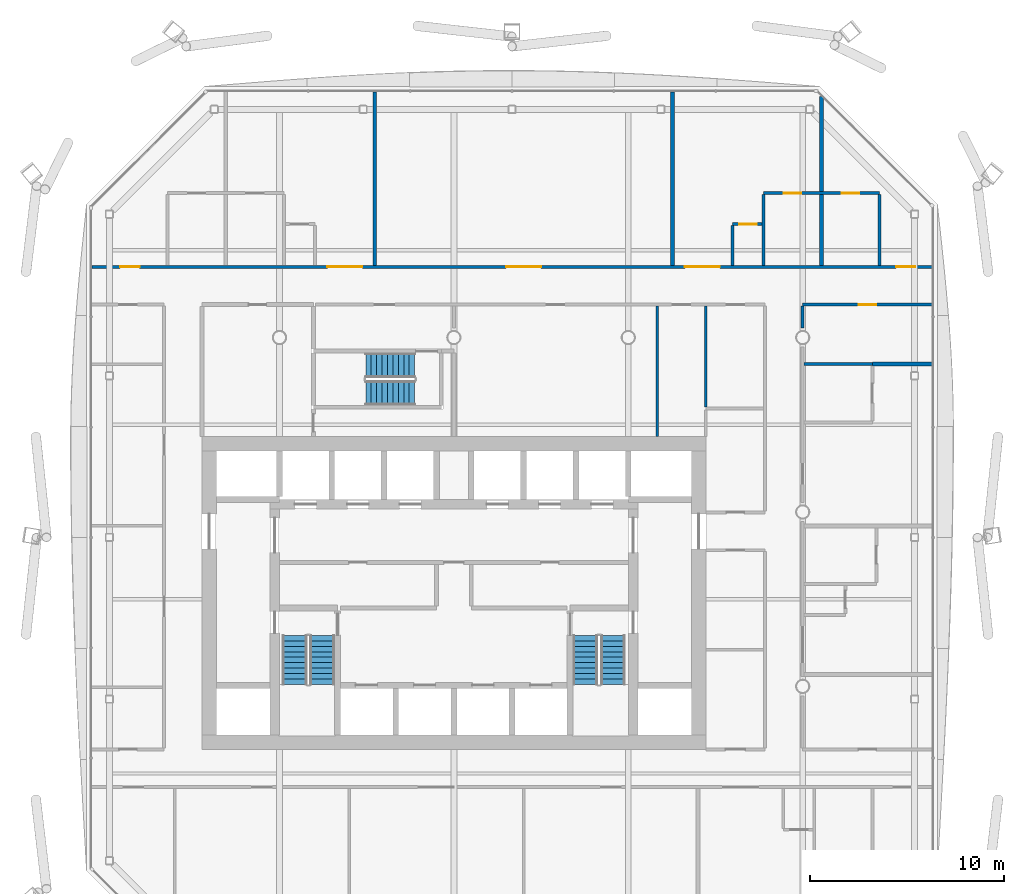
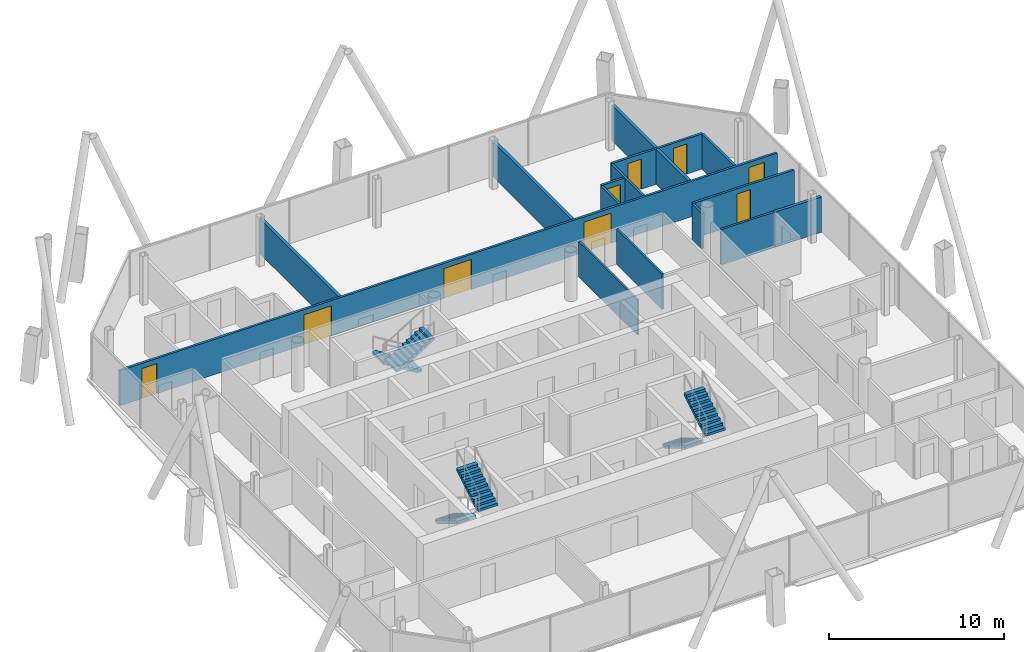
# One storey, part 17 of 20: 15 walls, 9 doors, 6 stair flights, 9 openings, 3 elements without a shape of their own.
"""IFC4 building model written with IfcOpenShell, lengths in metres."""

import ifcopenshell
import ifcopenshell.guid

model = None  # the IFC model being written
_history = None  # IfcOwnerHistory: only IFC2X3 demands one
_inside = {}  # id of a spatial element -> (the spatial element, [elements in it])
_under = {}  # id of a project, library or spatial element -> (it, [spatial elements below it])
_declared = {}  # id of a project -> (the project, [libraries it declares])
_typed = {}  # id of a type object -> (the type object, [elements of that type])
_made_of = {}  # id of a material, layer set ... -> (it, [elements and type objects made of it])


def new_model(schema):
    """Start an empty IFC model of exactly this schema.

    Asked for "IFC4X3", IfcOpenShell would pick the latest addendum, in which some entities
    have other attributes; the version numbers below select the first issue.
    IFC2X3 requires an IfcOwnerHistory on every rooted entity: one is made here for all.
    """
    global model, _history
    if schema == "IFC4X3":
        model = ifcopenshell.file(schema_version=(4, 3, 0, 0))
    else:
        model = ifcopenshell.file(schema=schema)
    _inside.clear()
    _under.clear()
    _declared.clear()
    _typed.clear()
    _made_of.clear()
    _history = None
    if model.schema == "IFC2X3":
        org = make("IfcOrganization", Name="unknown")
        user = make(
            "IfcPersonAndOrganization",
            ThePerson=make("IfcPerson", FamilyName="unknown"),
            TheOrganization=org,
        )
        app = make(
            "IfcApplication",
            ApplicationDeveloper=org,
            Version="unknown",
            ApplicationFullName="unknown",
            ApplicationIdentifier="unknown",
        )
        _history = make(
            "IfcOwnerHistory",
            OwningUser=user,
            OwningApplication=app,
            ChangeAction="ADDED",
            CreationDate=0,
        )
    return model


def make(cls, **values):
    """One entity of the class cls with the attributes given. An attribute that is None is left unset."""
    return model.create_entity(
        cls, **{name: value for name, value in values.items() if value is not None}
    )


def rooted(cls, **values):
    """An entity with a GlobalId (a new one), such as an element, a storey or a relation."""
    return make(cls, GlobalId=ifcopenshell.guid.new(), OwnerHistory=_history, **values)


def si_unit(unit_type, name, prefix=None):
    """IfcSIUnit, for example si_unit("LENGTHUNIT", "METRE", prefix="MILLI")."""
    return make("IfcSIUnit", UnitType=unit_type, Prefix=prefix, Name=name)


def assignment(units):
    """IfcUnitAssignment: the units of a project."""
    return None if units is None else make("IfcUnitAssignment", Units=units)


def point(xyz):
    """IfcCartesianPoint."""
    return None if xyz is None else make("IfcCartesianPoint", Coordinates=xyz)


def direction(xyz):
    """IfcDirection."""
    return None if xyz is None else make("IfcDirection", DirectionRatios=xyz)


def frame(location, z_axis=None, x_axis=None):
    """IfcAxis2Placement3D, a coordinate frame: its origin and axes. An axis left out is left unset."""
    return make(
        "IfcAxis2Placement3D",
        Location=point(location),
        Axis=direction(z_axis),
        RefDirection=direction(x_axis),
    )


def frame_2d(location, x_axis=None):
    """IfcAxis2Placement2D, a coordinate frame in the plane: its origin and x axis."""
    return make(
        "IfcAxis2Placement2D", Location=point(location), RefDirection=direction(x_axis)
    )


def origin():
    """The frame at (0, 0, 0) with its axes left unset."""
    return frame((0.0, 0.0, 0.0))


def place(relative_to, where):
    """IfcLocalPlacement: puts the frame where relative to a parent placement (None: the world)."""
    return make(
        "IfcLocalPlacement", PlacementRelTo=relative_to, RelativePlacement=where
    )


def context(
    kind, dimensions, precision=None, world=None, true_north=None, identifier=None
):
    """IfcGeometricRepresentationContext, for example the 3D "Model" context."""
    return make(
        "IfcGeometricRepresentationContext",
        ContextIdentifier=identifier,
        ContextType=kind,
        CoordinateSpaceDimension=dimensions,
        Precision=precision,
        WorldCoordinateSystem=world,
        TrueNorth=true_north,
    )


def subcontext(parent, identifier, kind, view, scale=None):
    """IfcGeometricRepresentationSubContext, for example "Body" below "Model"."""
    return make(
        "IfcGeometricRepresentationSubContext",
        ContextIdentifier=identifier,
        ContextType=kind,
        ParentContext=parent,
        TargetScale=scale,
        TargetView=view,
    )


def project(units=None, contexts=None):
    """IfcProject with its units and contexts."""
    return rooted(
        "IfcProject",
        Name="project",
        RepresentationContexts=contexts,
        UnitsInContext=assignment(units),
    )


def spatial(cls, under=None, at=None, **own):
    """A site, building, storey or space (cls), placed at a placement, below another one or the project."""
    s = rooted(cls, ObjectPlacement=at, **own)
    if under is not None:
        _under.setdefault(under.id(), (under, []))[1].append(s)
    return s


def polyline(points):
    """IfcPolyline through the points."""
    return make("IfcPolyline", Points=[point(p) for p in points])


def profile(cls, at=None, kind="AREA", **sizes):
    """A parametric profile (cls). Its sizes go by their IFC names, for example OverallWidth=200.0."""
    return make(cls, ProfileType=kind, Position=at, **sizes)


def rectangle(**sizes):
    """IfcRectangleProfileDef."""
    return profile("IfcRectangleProfileDef", **sizes)


def outline(outer, holes=None, kind="AREA"):
    """IfcArbitraryClosedProfileDef: a profile drawn as a closed curve; with holes, ...WithVoids."""
    if holes is None:
        return make("IfcArbitraryClosedProfileDef", ProfileType=kind, OuterCurve=outer)
    return make(
        "IfcArbitraryProfileDefWithVoids",
        ProfileType=kind,
        OuterCurve=outer,
        InnerCurves=holes,
    )


def extrude(swept, where, along, depth):
    """IfcExtrudedAreaSolid: the profile swept, set in the frame where, extruded along a direction by depth."""
    return make(
        "IfcExtrudedAreaSolid",
        SweptArea=swept,
        Position=where,
        ExtrudedDirection=direction(along),
        Depth=depth,
    )


def shape(context_of_items, identifier, shape_type, items):
    """IfcShapeRepresentation: the items that make up one representation, for example the "Body"."""
    return make(
        "IfcShapeRepresentation",
        ContextOfItems=context_of_items,
        RepresentationIdentifier=identifier,
        RepresentationType=shape_type,
        Items=items,
    )


def material(Name=None, Category=None):
    """IfcMaterial."""
    return make("IfcMaterial", Name=Name, Category=Category)


def layer(
    of_material, thickness, ventilated=None, Name=None, Category=None, Priority=None
):
    """IfcMaterialLayer: one layer of a wall or slab, of a material (None: an air gap)."""
    return make(
        "IfcMaterialLayer",
        Material=of_material,
        LayerThickness=thickness,
        IsVentilated=ventilated,
        Name=Name,
        Category=Category,
        Priority=Priority,
    )


def layer_set(layers, Name=None):
    """IfcMaterialLayerSet."""
    return make("IfcMaterialLayerSet", MaterialLayers=layers, LayerSetName=Name)


def made_of(thing, what):
    """Note that an element or type object is made of a material, layer set ...; save() writes the relation."""
    if what is not None:
        _made_of.setdefault(what.id(), (what, []))[1].append(thing)
    return thing


def type_object(cls, material=None, **own):
    """A type object (cls), such as IfcWallType, which elements share."""
    return made_of(rooted(cls, **own), material)


def element(
    cls,
    number,
    at=None,
    inside=None,
    cuts=None,
    type_object=None,
    material=None,
    context=None,
    identifier="Body",
    shape_type=None,
    held_by="IfcProductDefinitionShape",
    body=None,
    shapes=None,
    **own,
):
    """One element of the class cls, such as IfcWall. Its Tag is "e" and its number.

    at: its placement. inside: the storey or other place that contains it. cuts: it is an
    opening in that element (IfcRelVoidsElement). A single representation is given by context,
    identifier, shape_type and body (its items); several are given by shapes. held_by: the class
    of the entity that holds the representations. save() writes the other relations.
    """
    e = rooted(cls, Tag="e%d" % number, ObjectPlacement=at, **own)
    if body is not None:
        shapes = [shape(context, identifier, shape_type, body)]
    if shapes is not None:
        e.Representation = make(held_by, Representations=shapes)
    if inside is not None:
        _inside.setdefault(inside.id(), (inside, []))[1].append(e)
    if cuts is not None:
        rooted(
            "IfcRelVoidsElement", RelatingBuildingElement=cuts, RelatedOpeningElement=e
        )
    if type_object is not None:
        _typed.setdefault(type_object.id(), (type_object, []))[1].append(e)
    return made_of(e, material)


def fill(opening, filler):
    """IfcRelFillsElement: the door or window that sits in an opening."""
    return rooted(
        "IfcRelFillsElement",
        RelatingOpeningElement=opening,
        RelatedBuildingElement=filler,
    )


def aggregate(whole, parts):
    """IfcRelAggregates: a whole, such as a stair, and the parts it consists of."""
    return rooted("IfcRelAggregates", RelatingObject=whole, RelatedObjects=parts)


def save(model, path):
    """Write the relations noted so far, then the file.

    IfcRelAggregates (storeys below a building ...), IfcRelContainedInSpatialStructure (elements
    in a storey), IfcRelDefinesByType, IfcRelAssociatesMaterial and IfcRelDeclares: one each for
    every whole, place, type object, material and project.
    """
    for whole, parts in _under.values():
        aggregate(whole, parts)
    for where, things in _inside.values():
        rooted(
            "IfcRelContainedInSpatialStructure",
            RelatedElements=things,
            RelatingStructure=where,
        )
    for kind, things in _typed.values():
        rooted("IfcRelDefinesByType", RelatedObjects=things, RelatingType=kind)
    for what, things in _made_of.values():
        rooted("IfcRelAssociatesMaterial", RelatedObjects=things, RelatingMaterial=what)
    for by, libraries in _declared.values():
        rooted("IfcRelDeclares", RelatingContext=by, RelatedDefinitions=libraries)
    model.write(path)


model = new_model("IFC4")

# Units and contexts
model_context = context("Model", 3, precision=1e-05, world=origin(), true_north=direction((0.0, 1.0)))
body_context = subcontext(model_context, "Body", "Model", "MODEL_VIEW")
ifc_project = project(units=[si_unit("LENGTHUNIT", "METRE"), si_unit("AREAUNIT", "SQUARE_METRE"), si_unit("VOLUMEUNIT", "CUBIC_METRE"), si_unit("PLANEANGLEUNIT", "RADIAN"), si_unit("MASSUNIT", "GRAM", prefix="KILO")], contexts=[model_context])

# Site, building, storey
site_placement = place(None, origin())
site = spatial("IfcSite", under=ifc_project, at=site_placement, CompositionType="ELEMENT")
building_placement = place(site_placement, origin())
building = spatial("IfcBuilding", under=site, at=building_placement, Name="Tskaro Facet Tower", CompositionType="ELEMENT")
storey_placement = place(building_placement, frame((0.0, 0.0, 152.10009765625)))
storey = spatial("IfcBuildingStorey", under=building, at=storey_placement, Name="L37", CompositionType="ELEMENT", Elevation=152.10009765625)

# Walls
ifc_material_1 = material(Name="Gypsum board on steel studs", Category="steel")
ifc_layer_1 = layer(ifc_material_1, 0.125, Name="Gypsum board on steel studs")
ifc_layer_set_1 = layer_set([ifc_layer_1], Name="Gypsum board on steel studs")
wall_type_1 = type_object("IfcWallType", Name="PART", PredefinedType="PARTITIONING", material=ifc_layer_set_1)
wall_1_placement = place(storey_placement, frame((10.5, 3.89990234375, 0.0), z_axis=(0.0, 0.0, 1.0), x_axis=(0.0, 1.0, 0.0)))
element("IfcWall", 1, at=wall_1_placement, inside=storey, type_object=wall_type_1, Name="Partition W074", PredefinedType="PARTITIONING", context=body_context, shape_type="SweptSolid", body=[
    extrude(rectangle(XDim=6.72509765625, YDim=0.125, at=frame_2d((3.362548828125, 0.0))), origin(), (0.0, 0.0, 1.0), 2.4599609375),
])
wall_2_placement = place(storey_placement, frame((13.0, 5.412109375, 0.0), z_axis=(0.0, 0.0, 1.0), x_axis=(0.0, 1.0, 0.0)))
element("IfcWall", 2, at=wall_2_placement, inside=storey, type_object=wall_type_1, Name="Partition W078", PredefinedType="PARTITIONING", context=body_context, shape_type="SweptSolid", body=[
    extrude(rectangle(XDim=5.212890625, YDim=0.125, at=frame_2d((2.6064453125, 0.0))), origin(), (0.0, 0.0, 1.0), 2.4599609375),
])
ifc_layer_2 = layer(ifc_material_1, 0.14990234375, Name="Gypsum board on steel studs")
ifc_layer_set_2 = layer_set([ifc_layer_2], Name="Gypsum board on steel studs")
wall_type_2 = type_object("IfcWallType", Name="PART-CORR", PredefinedType="PARTITIONING", material=ifc_layer_set_2)
wall_3_placement = place(storey_placement, frame((18.074951171875, 7.6259765625, 0.0), z_axis=(0.0, 0.0, 1.0), x_axis=(1.0, 0.0, 0.0)))
element("IfcWall", 3, at=wall_3_placement, inside=storey, type_object=wall_type_2, Name="Corridor wall W030", PredefinedType="PARTITIONING", context=body_context, shape_type="SweptSolid", body=[
    extrude(rectangle(XDim=3.525146484375, YDim=0.14990234375, at=frame_2d((1.7626953125, 0.0))), origin(), (0.0, 0.0, 1.0), 2.4599609375),
])

# Wall, opening, door
wall_4_placement = place(storey_placement, frame((24.674072265625, 10.699951171875, 0.0), z_axis=(0.0, 0.0, 1.0), x_axis=(-1.0, 0.0, 0.0)))
wall_4 = element("IfcWall", 4, at=wall_4_placement, inside=storey, type_object=wall_type_2, Name="Corridor wall W037", PredefinedType="PARTITIONING", context=body_context, shape_type="SweptSolid", body=[
    extrude(rectangle(XDim=6.674072265625, YDim=0.14990234375, at=frame_2d((3.3369140625, 0.0))), origin(), (0.0, 0.0, 1.0), 2.4599609375),
])
opening_1_placement = place(wall_4_placement, frame((2.886962890625, 0.0, 0.0)))
opening_1 = element("IfcOpeningElement", 5, at=opening_1_placement, cuts=wall_4, Name="Opening T11-D38", PredefinedType="OPENING", context=body_context, shape_type="SweptSolid", body=[
    extrude(rectangle(XDim=0.89990234375, YDim=2.10009765625, at=frame_2d((0.449951171875, 1.050048828125))), frame((0.0, 0.0849609375, 0.0), z_axis=(0.0, -1.0, 0.0), x_axis=(1.0, 0.0, 0.0)), (0.0, 0.0, 1.0), 0.169921875),
])
ifc_material_2 = material(Name="Timber", Category="wood")
door_type_1 = type_object("IfcDoorType", Name="D-ROOM", OperationType="NOTDEFINED", PredefinedType="DOOR", material=ifc_material_2)
door_1_placement = place(opening_1_placement, origin())
door_1 = element("IfcDoor", 6, at=door_1_placement, inside=storey, type_object=door_type_1, Name="Door T11-D38", OperationType="SINGLE_SWING_RIGHT", OverallHeight=2.10009765625, OverallWidth=0.89990234375, PredefinedType="DOOR", context=body_context, shape_type="SweptSolid", body=[
    extrude(rectangle(XDim=0.89990234375, YDim=2.10009765625, at=frame_2d((0.449951171875, 1.050048828125))), frame((0.0, 0.02490234375, 0.0), z_axis=(0.0, -1.0, 0.0), x_axis=(1.0, 0.0, 0.0)), (0.0, 0.0, 1.0), 0.050048828125),
])
fill(opening_1, door_1)

# Wall, openings, doors
wall_5_placement = place(storey_placement, frame((-18.674072265625, 12.64990234375, 0.0), z_axis=(0.0, 0.0, 1.0), x_axis=(1.0, 0.0, 0.0)))
wall_5 = element("IfcWall", 7, at=wall_5_placement, inside=storey, type_object=wall_type_2, Name="Corridor wall W038", PredefinedType="PARTITIONING", context=body_context, shape_type="SweptSolid", body=[
    extrude(rectangle(XDim=43.34814453125, YDim=0.14990234375, at=frame_2d((21.674072265625, 0.0))), origin(), (0.0, 0.0, 1.0), 2.4599609375),
])
opening_2_placement = place(wall_5_placement, frame((1.452880859375, 0.0, 0.0)))
opening_2 = element("IfcOpeningElement", 8, at=opening_2_placement, cuts=wall_5, Name="Opening T11-D39", PredefinedType="OPENING", context=body_context, shape_type="SweptSolid", body=[
    extrude(rectangle(XDim=1.0, YDim=2.10009765625, at=frame_2d((0.5, 1.050048828125))), frame((0.0, 0.0849609375, 0.0), z_axis=(0.0, -1.0, 0.0), x_axis=(1.0, 0.0, 0.0)), (0.0, 0.0, 1.0), 0.169921875),
])
opening_3_placement = place(wall_5_placement, frame((12.14794921875, 0.0, 0.0)))
opening_3 = element("IfcOpeningElement", 9, at=opening_3_placement, cuts=wall_5, Name="Opening T11-D40", PredefinedType="OPENING", context=body_context, shape_type="SweptSolid", body=[
    extrude(rectangle(XDim=1.800048828125, YDim=2.10009765625, at=frame_2d((0.89990234375, 1.050048828125))), frame((0.0, 0.0849609375, 0.0), z_axis=(0.0, -1.0, 0.0), x_axis=(1.0, 0.0, 0.0)), (0.0, 0.0, 1.0), 0.169921875),
])
opening_4_placement = place(wall_5_placement, frame((21.3740234375, 0.0, 0.0)))
opening_4 = element("IfcOpeningElement", 10, at=opening_4_placement, cuts=wall_5, Name="Opening T11-D41", PredefinedType="OPENING", context=body_context, shape_type="SweptSolid", body=[
    extrude(rectangle(XDim=1.800048828125, YDim=2.10009765625, at=frame_2d((0.89990234375, 1.050048828125))), frame((0.0, 0.0849609375, 0.0), z_axis=(0.0, -1.0, 0.0), x_axis=(1.0, 0.0, 0.0)), (0.0, 0.0, 1.0), 0.169921875),
])
opening_5_placement = place(wall_5_placement, frame((30.60009765625, 0.0, 0.0)))
opening_5 = element("IfcOpeningElement", 11, at=opening_5_placement, cuts=wall_5, Name="Opening T11-D42", PredefinedType="OPENING", context=body_context, shape_type="SweptSolid", body=[
    extrude(rectangle(XDim=1.800048828125, YDim=2.10009765625, at=frame_2d((0.89990234375, 1.050048828125))), frame((0.0, 0.0849609375, 0.0), z_axis=(0.0, -1.0, 0.0), x_axis=(1.0, 0.0, 0.0)), (0.0, 0.0, 1.0), 0.169921875),
])
opening_6_placement = place(wall_5_placement, frame((41.4951171875, 0.0, 0.0)))
opening_6 = element("IfcOpeningElement", 12, at=opening_6_placement, cuts=wall_5, Name="Opening T11-D43", PredefinedType="OPENING", context=body_context, shape_type="SweptSolid", body=[
    extrude(rectangle(XDim=1.0, YDim=2.10009765625, at=frame_2d((0.5, 1.050048828125))), frame((0.0, 0.0849609375, 0.0), z_axis=(0.0, -1.0, 0.0), x_axis=(1.0, 0.0, 0.0)), (0.0, 0.0, 1.0), 0.169921875),
])
door_type_2 = type_object("IfcDoorType", Name="D-ENTRY", OperationType="NOTDEFINED", PredefinedType="DOOR", material=ifc_material_2)
door_2_placement = place(opening_2_placement, origin())
door_2 = element("IfcDoor", 13, at=door_2_placement, inside=storey, type_object=door_type_2, Name="Door T11-D39", OperationType="SINGLE_SWING_RIGHT", OverallHeight=2.10009765625, OverallWidth=1.0, PredefinedType="DOOR", context=body_context, shape_type="SweptSolid", body=[
    extrude(rectangle(XDim=1.0, YDim=2.10009765625, at=frame_2d((0.5, 1.050048828125))), frame((0.0, 0.02490234375, 0.0), z_axis=(0.0, -1.0, 0.0), x_axis=(1.0, 0.0, 0.0)), (0.0, 0.0, 1.0), 0.050048828125),
])
fill(opening_2, door_2)
door_3_placement = place(opening_6_placement, origin())
door_3 = element("IfcDoor", 14, at=door_3_placement, inside=storey, type_object=door_type_2, Name="Door T11-D43", OperationType="SINGLE_SWING_RIGHT", OverallHeight=2.10009765625, OverallWidth=1.0, PredefinedType="DOOR", context=body_context, shape_type="SweptSolid", body=[
    extrude(rectangle(XDim=1.0, YDim=2.10009765625, at=frame_2d((0.5, 1.050048828125))), frame((0.0, 0.02490234375, 0.0), z_axis=(0.0, -1.0, 0.0), x_axis=(1.0, 0.0, 0.0)), (0.0, 0.0, 1.0), 0.050048828125),
])
fill(opening_6, door_3)
ifc_material_3 = material(Name="Glass", Category="glass")
door_type_3 = type_object("IfcDoorType", Name="D-ENTRY-PAIR", OperationType="NOTDEFINED", PredefinedType="DOOR", material=ifc_material_3)
door_4_placement = place(opening_4_placement, origin())
door_4 = element("IfcDoor", 15, at=door_4_placement, inside=storey, type_object=door_type_3, Name="Door T11-D41", OperationType="DOUBLE_DOOR_SINGLE_SWING", OverallHeight=2.10009765625, OverallWidth=1.800048828125, PredefinedType="DOOR", context=body_context, shape_type="SweptSolid", body=[
    extrude(rectangle(XDim=1.800048828125, YDim=2.10009765625, at=frame_2d((0.89990234375, 1.050048828125))), frame((0.0, 0.02490234375, 0.0), z_axis=(0.0, -1.0, 0.0), x_axis=(1.0, 0.0, 0.0)), (0.0, 0.0, 1.0), 0.050048828125),
])
fill(opening_4, door_4)
door_type_4 = type_object("IfcDoorType", Name="D-SUITE-PAIR", OperationType="NOTDEFINED", PredefinedType="DOOR", material=ifc_material_2)
door_5_placement = place(opening_3_placement, origin())
door_5 = element("IfcDoor", 16, at=door_5_placement, inside=storey, type_object=door_type_4, Name="Door T11-D40", OperationType="DOUBLE_DOOR_SINGLE_SWING", OverallHeight=2.10009765625, OverallWidth=1.800048828125, PredefinedType="DOOR", context=body_context, shape_type="SweptSolid", body=[
    extrude(rectangle(XDim=1.800048828125, YDim=2.10009765625, at=frame_2d((0.89990234375, 1.050048828125))), frame((0.0, 0.02490234375, 0.0), z_axis=(0.0, -1.0, 0.0), x_axis=(1.0, 0.0, 0.0)), (0.0, 0.0, 1.0), 0.050048828125),
])
fill(opening_3, door_5)
door_6_placement = place(opening_5_placement, origin())
door_6 = element("IfcDoor", 17, at=door_6_placement, inside=storey, type_object=door_type_4, Name="Door T11-D42", OperationType="DOUBLE_DOOR_SINGLE_SWING", OverallHeight=2.10009765625, OverallWidth=1.800048828125, PredefinedType="DOOR", context=body_context, shape_type="SweptSolid", body=[
    extrude(rectangle(XDim=1.800048828125, YDim=2.10009765625, at=frame_2d((0.89990234375, 1.050048828125))), frame((0.0, 0.02490234375, 0.0), z_axis=(0.0, -1.0, 0.0), x_axis=(1.0, 0.0, 0.0)), (0.0, 0.0, 1.0), 0.050048828125),
])
fill(opening_5, door_6)

# Wall, opening, door
wall_6_placement = place(storey_placement, frame((15.89306640625, 14.85009765625, 0.0), z_axis=(0.0, 0.0, 1.0), x_axis=(-1.0, 0.0, 0.0)))
wall_6 = element("IfcWall", 18, at=wall_6_placement, inside=storey, type_object=wall_type_2, Name="Corridor wall W040", PredefinedType="PARTITIONING", context=body_context, shape_type="SweptSolid", body=[
    extrude(rectangle(XDim=1.525146484375, YDim=0.14990234375, at=frame_2d((0.7626953125, 0.0))), origin(), (0.0, 0.0, 1.0), 2.4599609375),
])
opening_7_placement = place(wall_6_placement, frame((0.27490234375, 0.0, 0.0)))
opening_7 = element("IfcOpeningElement", 19, at=opening_7_placement, cuts=wall_6, Name="Opening T11-D45", PredefinedType="OPENING", context=body_context, shape_type="SweptSolid", body=[
    extrude(rectangle(XDim=0.89990234375, YDim=2.10009765625, at=frame_2d((0.449951171875, 1.050048828125))), frame((0.0, 0.0849609375, 0.0), z_axis=(0.0, -1.0, 0.0), x_axis=(1.0, 0.0, 0.0)), (0.0, 0.0, 1.0), 0.169921875),
])
door_7_placement = place(opening_7_placement, origin())
door_7 = element("IfcDoor", 20, at=door_7_placement, inside=storey, type_object=door_type_1, Name="Door T11-D45", OperationType="SINGLE_SWING_RIGHT", OverallHeight=2.10009765625, OverallWidth=0.89990234375, PredefinedType="DOOR", context=body_context, shape_type="SweptSolid", body=[
    extrude(rectangle(XDim=0.89990234375, YDim=2.10009765625, at=frame_2d((0.449951171875, 1.050048828125))), frame((0.0, 0.02490234375, 0.0), z_axis=(0.0, -1.0, 0.0), x_axis=(1.0, 0.0, 0.0)), (0.0, 0.0, 1.0), 0.050048828125),
])
fill(opening_7, door_7)

# Wall, openings, doors
wall_7_placement = place(storey_placement, frame((21.968017578125, 16.449951171875, 0.0), z_axis=(0.0, 0.0, 1.0), x_axis=(-1.0, 0.0, 0.0)))
wall_7 = element("IfcWall", 21, at=wall_7_placement, inside=storey, type_object=wall_type_2, Name="Corridor wall W042", PredefinedType="PARTITIONING", context=body_context, shape_type="SweptSolid", body=[
    extrude(rectangle(XDim=6.0, YDim=0.14990234375, at=frame_2d((3.0, 0.0))), origin(), (0.0, 0.0, 1.0), 2.4599609375),
])
opening_8_placement = place(wall_7_placement, frame((4.050048828125, 0.0, 0.0)))
opening_8 = element("IfcOpeningElement", 22, at=opening_8_placement, cuts=wall_7, Name="Opening T11-D48", PredefinedType="OPENING", context=body_context, shape_type="SweptSolid", body=[
    extrude(rectangle(XDim=0.89990234375, YDim=2.10009765625, at=frame_2d((0.449951171875, 1.050048828125))), frame((0.0, 0.0849609375, 0.0), z_axis=(0.0, -1.0, 0.0), x_axis=(1.0, 0.0, 0.0)), (0.0, 0.0, 1.0), 0.169921875),
])
opening_9_placement = place(wall_7_placement, frame((1.050048828125, 0.0, 0.0)))
opening_9 = element("IfcOpeningElement", 23, at=opening_9_placement, cuts=wall_7, Name="Opening T11-D49", PredefinedType="OPENING", context=body_context, shape_type="SweptSolid", body=[
    extrude(rectangle(XDim=0.89990234375, YDim=2.10009765625, at=frame_2d((0.449951171875, 1.050048828125))), frame((0.0, 0.0849609375, 0.0), z_axis=(0.0, -1.0, 0.0), x_axis=(1.0, 0.0, 0.0)), (0.0, 0.0, 1.0), 0.169921875),
])
door_8_placement = place(opening_8_placement, origin())
door_8 = element("IfcDoor", 24, at=door_8_placement, inside=storey, type_object=door_type_1, Name="Door T11-D48", OperationType="SINGLE_SWING_RIGHT", OverallHeight=2.10009765625, OverallWidth=0.89990234375, PredefinedType="DOOR", context=body_context, shape_type="SweptSolid", body=[
    extrude(rectangle(XDim=0.89990234375, YDim=2.10009765625, at=frame_2d((0.449951171875, 1.050048828125))), frame((0.0, 0.02490234375, 0.0), z_axis=(0.0, -1.0, 0.0), x_axis=(1.0, 0.0, 0.0)), (0.0, 0.0, 1.0), 0.050048828125),
])
fill(opening_8, door_8)
door_9_placement = place(opening_9_placement, origin())
door_9 = element("IfcDoor", 25, at=door_9_placement, inside=storey, type_object=door_type_1, Name="Door T11-D49", OperationType="SINGLE_SWING_RIGHT", OverallHeight=2.10009765625, OverallWidth=0.89990234375, PredefinedType="DOOR", context=body_context, shape_type="SweptSolid", body=[
    extrude(rectangle(XDim=0.89990234375, YDim=2.10009765625, at=frame_2d((0.449951171875, 1.050048828125))), frame((0.0, 0.02490234375, 0.0), z_axis=(0.0, -1.0, 0.0), x_axis=(1.0, 0.0, 0.0)), (0.0, 0.0, 1.0), 0.050048828125),
])
fill(opening_9, door_9)

# Walls
wall_8_placement = place(storey_placement, frame((14.367919921875, 12.72509765625, 0.0), z_axis=(0.0, 0.0, 1.0), x_axis=(0.0, 1.0, 0.0)))
element("IfcWall", 26, at=wall_8_placement, inside=storey, type_object=wall_type_2, Name="Corridor wall W079", PredefinedType="PARTITIONING", context=body_context, shape_type="SweptSolid", body=[
    extrude(rectangle(XDim=2.0498046875, YDim=0.14990234375, at=frame_2d((1.02490234375, 0.0))), origin(), (0.0, 0.0, 1.0), 2.4599609375),
])
wall_9_placement = place(storey_placement, frame((15.968017578125, 12.72509765625, 0.0), z_axis=(0.0, 0.0, 1.0), x_axis=(0.0, 1.0, 0.0)))
element("IfcWall", 27, at=wall_9_placement, inside=storey, type_object=wall_type_2, Name="Corridor wall W080", PredefinedType="PARTITIONING", context=body_context, shape_type="SweptSolid", body=[
    extrude(rectangle(XDim=3.64990234375, YDim=0.14990234375, at=frame_2d((1.824951171875, 0.0))), origin(), (0.0, 0.0, 1.0), 2.4599609375),
])
wall_10_placement = place(storey_placement, frame((18.0, 9.5, 0.0), z_axis=(0.0, 0.0, 1.0), x_axis=(0.0, 1.0, 0.0)))
element("IfcWall", 28, at=wall_10_placement, inside=storey, type_object=wall_type_2, Name="Corridor wall W087", PredefinedType="PARTITIONING", context=body_context, shape_type="SweptSolid", body=[
    extrude(rectangle(XDim=1.125, YDim=0.14990234375, at=frame_2d((0.5625, 0.0))), origin(), (0.0, 0.0, 1.0), 2.4599609375),
])
wall_11_placement = place(storey_placement, frame((21.968017578125, 12.72509765625, 0.0), z_axis=(0.0, 0.0, 1.0), x_axis=(0.0, 1.0, 0.0)))
element("IfcWall", 29, at=wall_11_placement, inside=storey, type_object=wall_type_2, Name="Corridor wall W095", PredefinedType="PARTITIONING", context=body_context, shape_type="SweptSolid", body=[
    extrude(rectangle(XDim=3.64990234375, YDim=0.14990234375, at=frame_2d((1.824951171875, 0.0))), origin(), (0.0, 0.0, 1.0), 2.4599609375),
])
ifc_layer_3 = layer(ifc_material_1, 0.199951171875, Name="Gypsum board on steel studs")
ifc_layer_set_3 = layer_set([ifc_layer_3], Name="Gypsum board on steel studs")
wall_type_3 = type_object("IfcWallType", Name="PART-DEMISING", PredefinedType="PARTITIONING", material=ifc_layer_set_3)
wall_12_placement = place(storey_placement, frame((21.60009765625, 7.6259765625, 0.0), z_axis=(0.0, 0.0, 1.0), x_axis=(1.0, 0.0, 0.0)))
element("IfcWall", 30, at=wall_12_placement, inside=storey, type_object=wall_type_3, Name="Guest room wall W031", PredefinedType="PARTITIONING", context=body_context, shape_type="SweptSolid", body=[
    extrude(rectangle(XDim=3.073974609375, YDim=0.199951171875, at=frame_2d((1.537109375, 0.0))), origin(), (0.0, 0.0, 1.0), 2.4599609375),
])
for number, where, z_axis, x_axis, name in (
    (31, (-4.083984375, 12.72509765625, 0.0), (0.0, 0.0, 1.0), (0.0, 1.0, 0.0), "Guest room wall W057"),
    (32, (11.283935546875, 12.72509765625, 0.0), (0.0, 0.0, 1.0), (0.0, 1.0, 0.0), "Guest room wall W075"),
):
    element("IfcWall", number, at=place(storey_placement, frame(where, z_axis=z_axis, x_axis=x_axis)), inside=storey, type_object=wall_type_3, Name=name, PredefinedType="PARTITIONING", context=body_context, shape_type="SweptSolid", body=[
        extrude(rectangle(XDim=8.948974609375, YDim=0.199951171875, at=frame_2d((4.474609375, 0.0))), origin(), (0.0, 0.0, 1.0), 2.4599609375),
    ])
wall_13_placement = place(storey_placement, frame((18.968017578125, 12.72509765625, 0.0), z_axis=(0.0, 0.0, 1.0), x_axis=(0.0, 1.0, 0.0)))
element("IfcWall", 33, at=wall_13_placement, inside=storey, type_object=wall_type_3, Name="Guest room wall W089", PredefinedType="PARTITIONING", context=body_context, shape_type="SweptSolid", body=[
    extrude(rectangle(XDim=8.721923828125, YDim=0.199951171875, at=frame_2d((4.36083984375, 0.0))), origin(), (0.0, 0.0, 1.0), 2.4599609375),
])

# Stair, stair flights
ifc_material_4 = material(Name="Concrete C40/50", Category="concrete")
stair_type = type_object("IfcStairType", Name="ST-TWR", PredefinedType="HALF_TURN_STAIR", material=ifc_material_4)
stair_1_placement = place(storey_placement, origin())
stair_1 = element("IfcStair", 34, at=stair_1_placement, inside=storey, type_object=stair_type, Name="L37 Exit stair 1", PredefinedType="HALF_TURN_STAIR")
stair_flight_type = type_object("IfcStairFlightType", Name="SFL-RC", PredefinedType="STRAIGHT", material=ifc_material_4)
stair_flight_1_placement = place(storey_placement, frame((-8.21240234375, -6.375, 0.0), z_axis=(0.0, 0.0, 1.0), x_axis=(0.0, -1.0, 0.0)))
stair_flight_1 = element("IfcStairFlight", 35, at=stair_flight_1_placement, type_object=stair_flight_type, Name="ST-1 flight 1", NumberOfRisers=10, NumberOfTreads=9, PredefinedType="STRAIGHT", RiserHeight=0.17, TreadLength=0.28, context=body_context, shape_type="SweptSolid", body=[
    extrude(outline(polyline([(0.0, 0.0), (0.0, 0.169921875), (0.280029296875, 0.169921875), (0.280029296875, 0.340087890625), (0.56005859375, 0.340087890625), (0.56005859375, 0.510009765625), (0.840087890625, 0.510009765625), (0.840087890625, 0.679931640625), (1.1201171875, 0.679931640625), (1.1201171875, 0.85009765625), (1.39990234375, 0.85009765625), (1.39990234375, 1.02001953125), (1.679931640625, 1.02001953125), (1.679931640625, 1.18994140625), (1.9599609375, 1.18994140625), (1.9599609375, 1.360107421875), (2.239990234375, 1.360107421875), (2.239990234375, 1.530029296875), (2.52001953125, 1.530029296875), (2.52001953125, 1.699951171875), (2.52001953125, 1.354736328125), (0.288818359375, 0.0), (0.0, 0.0)])), frame((0.0, 0.637451171875, 0.0), z_axis=(0.0, -1.0, 0.0), x_axis=(1.0, 0.0, 0.0)), (0.0, 0.0, 1.0), 1.27490234375),
])
stair_flight_2_placement = place(storey_placement, frame((-6.78759765625, -8.89501953125, 1.699951171875), z_axis=(0.0, 0.0, 1.0), x_axis=(0.0, 1.0, 0.0)))
stair_flight_2 = element("IfcStairFlight", 36, at=stair_flight_2_placement, type_object=stair_flight_type, Name="ST-1 flight 2", NumberOfRisers=10, NumberOfTreads=9, PredefinedType="STRAIGHT", RiserHeight=0.17, TreadLength=0.28, context=body_context, shape_type="SweptSolid", body=[
    extrude(outline(polyline([(0.0, 0.0), (0.0, 0.169921875), (0.280029296875, 0.169921875), (0.280029296875, 0.340087890625), (0.56005859375, 0.340087890625), (0.56005859375, 0.510009765625), (0.840087890625, 0.510009765625), (0.840087890625, 0.679931640625), (1.1201171875, 0.679931640625), (1.1201171875, 0.85009765625), (1.39990234375, 0.85009765625), (1.39990234375, 1.02001953125), (1.679931640625, 1.02001953125), (1.679931640625, 1.18994140625), (1.9599609375, 1.18994140625), (1.9599609375, 1.360107421875), (2.239990234375, 1.360107421875), (2.239990234375, 1.530029296875), (2.52001953125, 1.530029296875), (2.52001953125, 1.699951171875), (2.52001953125, 1.354736328125), (0.288818359375, 0.0), (0.0, 0.0)])), frame((0.0, 0.637451171875, 0.0), z_axis=(0.0, -1.0, 0.0), x_axis=(1.0, 0.0, 0.0)), (0.0, 0.0, 1.0), 1.27490234375),
])
aggregate(stair_1, [stair_flight_1, stair_flight_2])

stair_2_placement = place(storey_placement, origin())
stair_2 = element("IfcStair", 37, at=stair_2_placement, inside=storey, type_object=stair_type, Name="L37 Exit stair 2", PredefinedType="HALF_TURN_STAIR")
stair_flight_3_placement = place(storey_placement, frame((6.78759765625, -6.375, 0.0), z_axis=(0.0, 0.0, 1.0), x_axis=(0.0, -1.0, 0.0)))
stair_flight_3 = element("IfcStairFlight", 38, at=stair_flight_3_placement, type_object=stair_flight_type, Name="ST-2 flight 1", NumberOfRisers=10, NumberOfTreads=9, PredefinedType="STRAIGHT", RiserHeight=0.17, TreadLength=0.28, context=body_context, shape_type="SweptSolid", body=[
    extrude(outline(polyline([(0.0, 0.0), (0.0, 0.169921875), (0.280029296875, 0.169921875), (0.280029296875, 0.340087890625), (0.56005859375, 0.340087890625), (0.56005859375, 0.510009765625), (0.840087890625, 0.510009765625), (0.840087890625, 0.679931640625), (1.1201171875, 0.679931640625), (1.1201171875, 0.85009765625), (1.39990234375, 0.85009765625), (1.39990234375, 1.02001953125), (1.679931640625, 1.02001953125), (1.679931640625, 1.18994140625), (1.9599609375, 1.18994140625), (1.9599609375, 1.360107421875), (2.239990234375, 1.360107421875), (2.239990234375, 1.530029296875), (2.52001953125, 1.530029296875), (2.52001953125, 1.699951171875), (2.52001953125, 1.354736328125), (0.288818359375, 0.0), (0.0, 0.0)])), frame((0.0, 0.637451171875, 0.0), z_axis=(0.0, -1.0, 0.0), x_axis=(1.0, 0.0, 0.0)), (0.0, 0.0, 1.0), 1.27490234375),
])
stair_flight_4_placement = place(storey_placement, frame((8.21240234375, -8.89501953125, 1.699951171875), z_axis=(0.0, 0.0, 1.0), x_axis=(0.0, 1.0, 0.0)))
stair_flight_4 = element("IfcStairFlight", 39, at=stair_flight_4_placement, type_object=stair_flight_type, Name="ST-2 flight 2", NumberOfRisers=10, NumberOfTreads=9, PredefinedType="STRAIGHT", RiserHeight=0.17, TreadLength=0.28, context=body_context, shape_type="SweptSolid", body=[
    extrude(outline(polyline([(0.0, 0.0), (0.0, 0.169921875), (0.280029296875, 0.169921875), (0.280029296875, 0.340087890625), (0.56005859375, 0.340087890625), (0.56005859375, 0.510009765625), (0.840087890625, 0.510009765625), (0.840087890625, 0.679931640625), (1.1201171875, 0.679931640625), (1.1201171875, 0.85009765625), (1.39990234375, 0.85009765625), (1.39990234375, 1.02001953125), (1.679931640625, 1.02001953125), (1.679931640625, 1.18994140625), (1.9599609375, 1.18994140625), (1.9599609375, 1.360107421875), (2.239990234375, 1.360107421875), (2.239990234375, 1.530029296875), (2.52001953125, 1.530029296875), (2.52001953125, 1.699951171875), (2.52001953125, 1.354736328125), (0.288818359375, 0.0), (0.0, 0.0)])), frame((0.0, 0.637451171875, 0.0), z_axis=(0.0, -1.0, 0.0), x_axis=(1.0, 0.0, 0.0)), (0.0, 0.0, 1.0), 1.27490234375),
])
aggregate(stair_2, [stair_flight_3, stair_flight_4])

stair_3_placement = place(storey_placement, origin())
stair_3 = element("IfcStair", 40, at=stair_3_placement, inside=storey, type_object=stair_type, Name="L37 Exit stair 3", PredefinedType="HALF_TURN_STAIR")
stair_flight_5_placement = place(storey_placement, frame((-2.02490234375, 7.5625, 0.0), z_axis=(0.0, 0.0, 1.0), x_axis=(-1.0, 0.0, 0.0)))
stair_flight_5 = element("IfcStairFlight", 41, at=stair_flight_5_placement, type_object=stair_flight_type, Name="ST-3 flight 1", NumberOfRisers=10, NumberOfTreads=9, PredefinedType="STRAIGHT", RiserHeight=0.17, TreadLength=0.28, context=body_context, shape_type="SweptSolid", body=[
    extrude(outline(polyline([(0.0, 0.0), (0.0, 0.169921875), (0.280029296875, 0.169921875), (0.280029296875, 0.340087890625), (0.56005859375, 0.340087890625), (0.56005859375, 0.510009765625), (0.840087890625, 0.510009765625), (0.840087890625, 0.679931640625), (1.1201171875, 0.679931640625), (1.1201171875, 0.85009765625), (1.39990234375, 0.85009765625), (1.39990234375, 1.02001953125), (1.679931640625, 1.02001953125), (1.679931640625, 1.18994140625), (1.9599609375, 1.18994140625), (1.9599609375, 1.360107421875), (2.239990234375, 1.360107421875), (2.239990234375, 1.530029296875), (2.52001953125, 1.530029296875), (2.52001953125, 1.699951171875), (2.52001953125, 1.354736328125), (0.288818359375, 0.0), (0.0, 0.0)])), frame((0.0, 0.637451171875, 0.0), z_axis=(0.0, -1.0, 0.0), x_axis=(1.0, 0.0, 0.0)), (0.0, 0.0, 1.0), 1.27490234375),
])
stair_flight_6_placement = place(storey_placement, frame((-4.544921875, 6.137451171875, 1.699951171875), z_axis=(0.0, 0.0, 1.0), x_axis=(1.0, 0.0, 0.0)))
stair_flight_6 = element("IfcStairFlight", 42, at=stair_flight_6_placement, type_object=stair_flight_type, Name="ST-3 flight 2", NumberOfRisers=10, NumberOfTreads=9, PredefinedType="STRAIGHT", RiserHeight=0.17, TreadLength=0.28, context=body_context, shape_type="SweptSolid", body=[
    extrude(outline(polyline([(0.0, 0.0), (0.0, 0.169921875), (0.280029296875, 0.169921875), (0.280029296875, 0.340087890625), (0.56005859375, 0.340087890625), (0.56005859375, 0.510009765625), (0.840087890625, 0.510009765625), (0.840087890625, 0.679931640625), (1.1201171875, 0.679931640625), (1.1201171875, 0.85009765625), (1.39990234375, 0.85009765625), (1.39990234375, 1.02001953125), (1.679931640625, 1.02001953125), (1.679931640625, 1.18994140625), (1.9599609375, 1.18994140625), (1.9599609375, 1.360107421875), (2.239990234375, 1.360107421875), (2.239990234375, 1.530029296875), (2.52001953125, 1.530029296875), (2.52001953125, 1.699951171875), (2.52001953125, 1.354736328125), (0.288818359375, 0.0), (0.0, 0.0)])), frame((0.0, 0.637451171875, 0.0), z_axis=(0.0, -1.0, 0.0), x_axis=(1.0, 0.0, 0.0)), (0.0, 0.0, 1.0), 1.27490234375),
])
aggregate(stair_3, [stair_flight_5, stair_flight_6])

save(model, "model.ifc")
